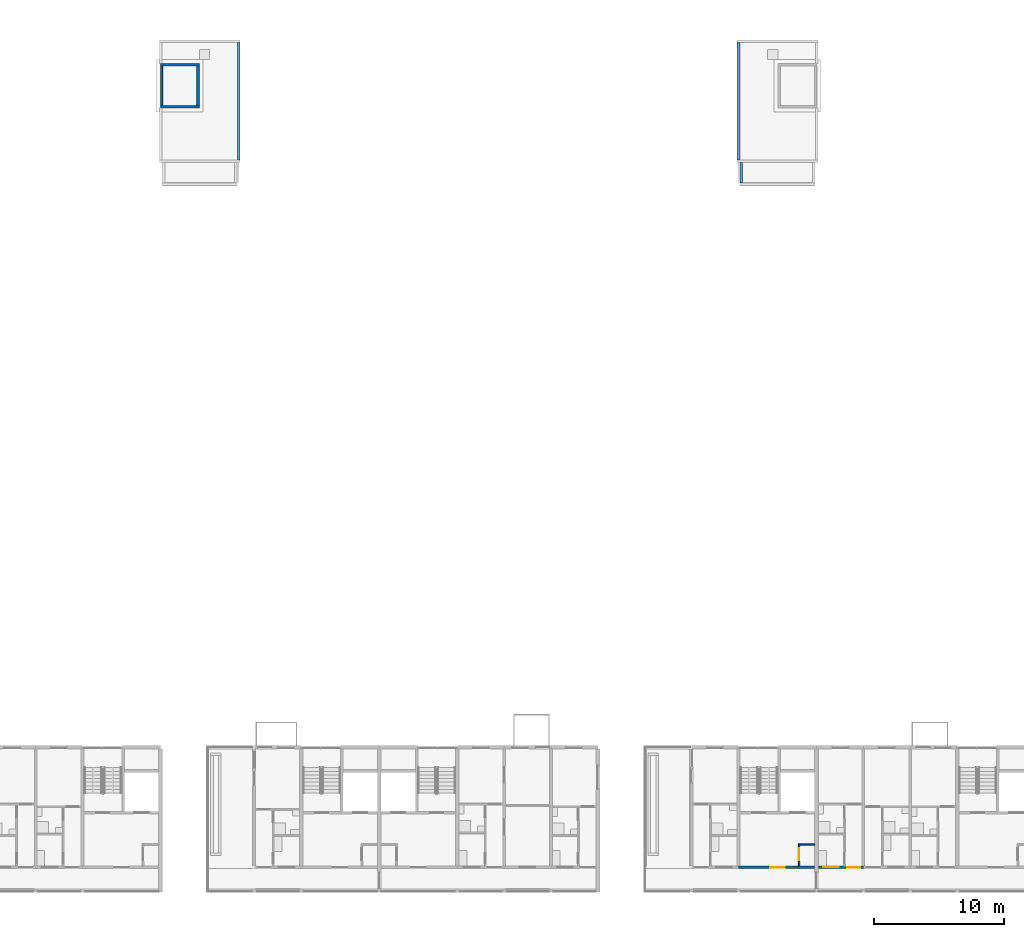
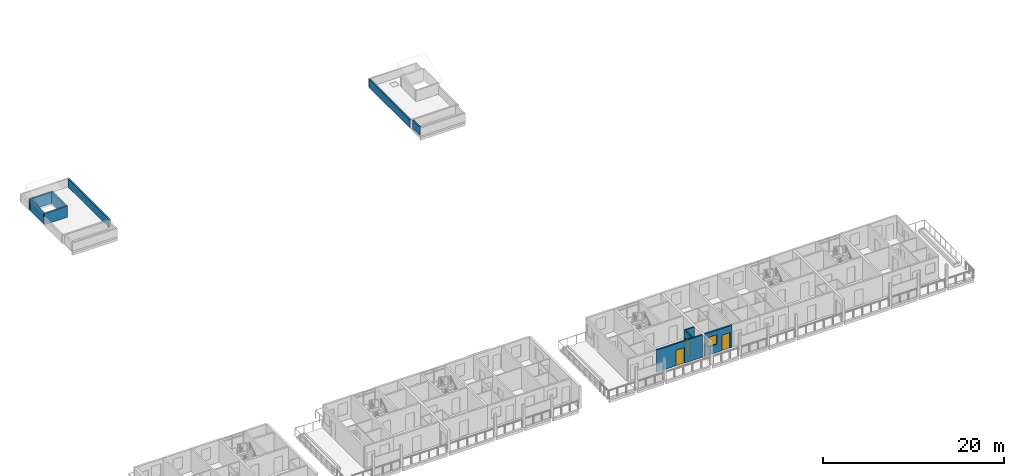
# One storey, part 27 of 64: 11 walls, 3 doors, 1 window, 4 openings.
"""IFC4 building model written with IfcOpenShell, lengths in metres."""

from ifc_helpers import new_model, si_unit, direction, frame, frame_2d, origin, place, context, subcontext, project, spatial, rectangle, extrude, material, layer, layer_set, type_object, element, fill, save


model = new_model("IFC4")

# Units and contexts
model_context = context("Model", 3, precision=1e-05, world=origin(), true_north=direction((0.0, 1.0)))
body_context = subcontext(model_context, "Body", "Model", "MODEL_VIEW")
ifc_project = project(units=[si_unit("LENGTHUNIT", "METRE"), si_unit("AREAUNIT", "SQUARE_METRE"), si_unit("VOLUMEUNIT", "CUBIC_METRE"), si_unit("PLANEANGLEUNIT", "RADIAN"), si_unit("MASSUNIT", "GRAM", prefix="KILO")], contexts=[model_context])

# Site, building, storey
site_placement = place(None, origin())
site = spatial("IfcSite", under=ifc_project, at=site_placement, CompositionType="ELEMENT")
building_placement = place(site_placement, origin())
building = spatial("IfcBuilding", under=site, at=building_placement, Name="Ridgestep Commons", CompositionType="ELEMENT")
storey_placement = place(building_placement, frame((0.0, 0.0, 33.0)))
storey = spatial("IfcBuildingStorey", under=building, at=storey_placement, Name="L11", CompositionType="ELEMENT", Elevation=33.0)

# Wall, opening, door
ifc_material_1 = material(Name="Concrete C30/37", Category="concrete")
ifc_layer_1 = layer(ifc_material_1, 0.199951171875)
ifc_layer_set_1 = layer_set([ifc_layer_1], Name="Core south wall 200")
wall_type_1 = type_object("IfcWallType", Name="Core south wall 200", PredefinedType="SHEAR", material=ifc_layer_set_1)
wall_1_placement = place(storey_placement, frame((73.199951171875, 13.64990234375, 0.0), z_axis=(0.0, 0.0, 1.0), x_axis=(1.0, 0.0, 0.0)))
wall_1 = element("IfcWall", 1, at=wall_1_placement, inside=storey, type_object=wall_type_1, Name="Core south wall A4C L11", PredefinedType="SHEAR", context=body_context, shape_type="SweptSolid", body=[
    extrude(rectangle(XDim=5.85009765625, YDim=0.199951171875, at=frame_2d((2.925048828125, 0.0))), origin(), (0.0, 0.0, 1.0), 3.0),
])
opening_1_placement = place(wall_1_placement, frame((2.4375, 0.0, 0.0)))
opening_1 = element("IfcOpeningElement", 2, at=opening_1_placement, cuts=wall_1, Name="Opening A4C/11/1", PredefinedType="OPENING", context=body_context, shape_type="SweptSolid", body=[
    extrude(rectangle(XDim=1.10009765625, YDim=2.10009765625, at=frame_2d((0.550048828125, 1.050048828125))), frame((0.0, 0.10986328125, 0.0), z_axis=(0.0, -1.0, 0.0), x_axis=(1.0, 0.0, 0.0)), (0.0, 0.0, 1.0), 0.219970703125),
])
ifc_material_2 = material(Name="Steel fire door", Category="steel")
door_type_1 = type_object("IfcDoorType", Name="Lobby door 1100 x 2100 FD60", OperationType="NOTDEFINED", PredefinedType="DOOR", material=ifc_material_2)
door_1_placement = place(opening_1_placement, origin())
door_1 = element("IfcDoor", 3, at=door_1_placement, inside=storey, type_object=door_type_1, Name="Lobby door A4C/11/1", OperationType="SINGLE_SWING_LEFT", OverallHeight=2.10009765625, OverallWidth=1.10009765625, PredefinedType="DOOR", context=body_context, shape_type="SweptSolid", body=[
    extrude(rectangle(XDim=1.10009765625, YDim=2.10009765625, at=frame_2d((0.550048828125, 1.050048828125))), frame((0.0, 0.02490234375, 0.0), z_axis=(0.0, -1.0, 0.0), x_axis=(1.0, 0.0, 0.0)), (0.0, 0.0, 1.0), 0.050048828125),
])
fill(opening_1, door_1)

ifc_material_3 = material(Name="Concrete C30/37", Category="concrete")
ifc_layer_2 = layer(ifc_material_3, 0.1201171875)
ifc_layer_set_2 = layer_set([ifc_layer_2], Name="Core wall 120")
wall_type_2 = type_object("IfcWallType", Name="Core wall 120", PredefinedType="SHEAR", material=ifc_layer_set_2)
wall_2_placement = place(storey_placement, frame((77.860107421875, 13.75, 0.0), z_axis=(0.0, 0.0, 1.0), x_axis=(0.0, 1.0, 0.0)))
wall_2 = element("IfcWall", 4, at=wall_2_placement, inside=storey, type_object=wall_type_2, Name="Core riser w wall A4C L11", PredefinedType="SHEAR", context=body_context, shape_type="SweptSolid", body=[
    extrude(rectangle(XDim=1.719970703125, YDim=0.1201171875, at=frame_2d((0.85986328125, 0.0))), origin(), (0.0, 0.0, 1.0), 3.0),
])
opening_2_placement = place(wall_2_placement, frame((0.449951171875, 0.0, 0.0)))
opening_2 = element("IfcOpeningElement", 5, at=opening_2_placement, cuts=wall_2, Name="Opening A4C/11/4", PredefinedType="OPENING", context=body_context, shape_type="SweptSolid", body=[
    extrude(rectangle(XDim=0.89990234375, YDim=2.10009765625, at=frame_2d((0.449951171875, 1.050048828125))), frame((0.0, 0.070068359375, 0.0), z_axis=(0.0, -1.0, 0.0), x_axis=(1.0, 0.0, 0.0)), (0.0, 0.0, 1.0), 0.14013671875),
])
ifc_material_4 = material(Name="Steel fire door", Category="steel")
door_type_2 = type_object("IfcDoorType", Name="Riser door 900 x 2100 FD60", OperationType="NOTDEFINED", PredefinedType="DOOR", material=ifc_material_4)
door_2_placement = place(opening_2_placement, origin())
door_2 = element("IfcDoor", 6, at=door_2_placement, inside=storey, type_object=door_type_2, Name="Riser door A4C/11/4", OperationType="SINGLE_SWING_LEFT", OverallHeight=2.10009765625, OverallWidth=0.89990234375, PredefinedType="DOOR", context=body_context, shape_type="SweptSolid", body=[
    extrude(rectangle(XDim=0.89990234375, YDim=2.10009765625, at=frame_2d((0.449951171875, 1.050048828125))), frame((0.0, 0.02490234375, 0.0), z_axis=(0.0, -1.0, 0.0), x_axis=(1.0, 0.0, 0.0)), (0.0, 0.0, 1.0), 0.050048828125),
])
fill(opening_2, door_2)

# Walls
wall_3_placement = place(storey_placement, frame((77.919921875, 15.409912109375, 0.0), z_axis=(0.0, 0.0, 1.0), x_axis=(1.0, 0.0, 0.0)))
element("IfcWall", 7, at=wall_3_placement, inside=storey, type_object=wall_type_2, Name="Core riser n wall A4C L11", PredefinedType="SHEAR", context=body_context, shape_type="SweptSolid", body=[
    extrude(rectangle(XDim=1.130126953125, YDim=0.1201171875, at=frame_2d((0.56494140625, 0.0))), origin(), (0.0, 0.0, 1.0), 3.0),
])
ifc_material_5 = material(Name="Concrete C30/37", Category="concrete")
ifc_layer_3 = layer(ifc_material_5, 0.14990234375)
ifc_layer_set_3 = layer_set([ifc_layer_3], Name="Lift overrun wall 150")
wall_type_3 = type_object("IfcWallType", Name="Lift overrun wall 150", PredefinedType="SHEAR", material=ifc_layer_set_3)
wall_4_placement = place(storey_placement, frame((28.875, 72.199951171875, 0.0), z_axis=(0.0, 0.0, 1.0), x_axis=(0.0, 1.0, 0.0)))
element("IfcWall", 8, at=wall_4_placement, inside=storey, type_object=wall_type_3, Name="Lift overrun wall B2C", PredefinedType="SHEAR", context=body_context, shape_type="SweptSolid", body=[
    extrude(rectangle(XDim=3.0, YDim=0.14990234375, at=frame_2d((1.5, 0.0))), origin(), (0.0, 0.0, 1.0), 1.5),
])
ifc_material_6 = material(Name="Concrete C30/37", Category="concrete")
ifc_layer_4 = layer(ifc_material_6, 0.199951171875)
ifc_layer_set_4 = layer_set([ifc_layer_4], Name="Lift overrun wall 200")
wall_type_4 = type_object("IfcWallType", Name="Lift overrun wall 200", PredefinedType="SHEAR", material=ifc_layer_set_4)
for number, where, z_axis, x_axis, name in (
    (9, (28.800048828125, 72.10009765625, 0.0), (0.0, 0.0, 1.0), (1.0, 0.0, 0.0), "Lift overrun wall B2C"),
    (10, (28.800048828125, 75.300048828125, 0.0), (0.0, 0.0, 1.0), (1.0, 0.0, 0.0), "Lift overrun wall B2C"),
):
    element("IfcWall", number, at=place(storey_placement, frame(where, z_axis=z_axis, x_axis=x_axis)), inside=storey, type_object=wall_type_4, Name=name, PredefinedType="SHEAR", context=body_context, shape_type="SweptSolid", body=[
        extrude(rectangle(XDim=2.974853515625, YDim=0.199951171875, at=frame_2d((1.4873046875, 0.0))), origin(), (0.0, 0.0, 1.0), 1.5),
    ])
wall_5_placement = place(storey_placement, frame((31.675048828125, 72.199951171875, 0.0), z_axis=(0.0, 0.0, 1.0), x_axis=(0.0, 1.0, 0.0)))
element("IfcWall", 11, at=wall_5_placement, inside=storey, type_object=wall_type_4, Name="Lift overrun wall B2C", PredefinedType="SHEAR", context=body_context, shape_type="SweptSolid", body=[
    extrude(rectangle(XDim=3.0, YDim=0.199951171875, at=frame_2d((1.5, 0.0))), origin(), (0.0, 0.0, 1.0), 1.5),
])
ifc_material_7 = material(Name="Precast concrete C40/50", Category="concrete")
ifc_layer_5 = layer(ifc_material_7, 0.199951171875)
ifc_layer_set_5 = layer_set([ifc_layer_5], Name="Parapet wall 200")
wall_type_5 = type_object("IfcWallType", Name="Parapet wall 200", PredefinedType="PARAPET", material=ifc_layer_set_5)
for number, where, z_axis, x_axis, name in (
    (12, (34.800048828125, 68.0, 0.0), (0.0, 0.0, 1.0), (0.0, 1.0, 0.0), "Parapet B2C east"),
    (13, (73.199951171875, 68.0, 0.0), (0.0, 0.0, 1.0), (0.0, 1.0, 0.0), "Parapet B4C west"),
):
    element("IfcWall", number, at=place(storey_placement, frame(where, z_axis=z_axis, x_axis=x_axis)), inside=storey, type_object=wall_type_5, Name=name, PredefinedType="PARAPET", context=body_context, shape_type="SweptSolid", body=[
        extrude(rectangle(XDim=9.02490234375, YDim=0.199951171875, at=frame_2d((4.512451171875, 0.0))), origin(), (0.0, 0.0, 1.0), 1.10009765625),
    ])
wall_6_placement = place(storey_placement, frame((73.425048828125, 66.22509765625, 0.0), z_axis=(0.0, 0.0, 1.0), x_axis=(0.0, 1.0, 0.0)))
element("IfcWall", 14, at=wall_6_placement, inside=storey, type_object=wall_type_5, Name="Parapet B4C gallery west", PredefinedType="PARAPET", context=body_context, shape_type="SweptSolid", body=[
    extrude(rectangle(XDim=1.574951171875, YDim=0.199951171875, at=frame_2d((0.78759765625, 0.0))), origin(), (0.0, 0.0, 1.0), 1.10009765625),
])

# Wall, openings, door, window
ifc_material_8 = material(Name="Precast concrete C40/50", Category="concrete")
ifc_layer_6 = layer(ifc_material_8, 0.199951171875)
ifc_layer_set_6 = layer_set([ifc_layer_6], Name="South facade panel 200")
wall_type_6 = type_object("IfcWallType", Name="South facade panel 200", PredefinedType="SOLIDWALL", material=ifc_layer_set_6)
wall_7_placement = place(storey_placement, frame((79.35009765625, 13.64990234375, 0.0), z_axis=(0.0, 0.0, 1.0), x_axis=(1.0, 0.0, 0.0)))
wall_7 = element("IfcWall", 15, at=wall_7_placement, inside=storey, type_object=wall_type_6, Name="South panel A5T1 L11", PredefinedType="SOLIDWALL", context=body_context, shape_type="SweptSolid", body=[
    extrude(rectangle(XDim=3.449951171875, YDim=0.199951171875, at=frame_2d((1.72509765625, 0.0))), origin(), (0.0, 0.0, 1.0), 3.0),
])
opening_3_placement = place(wall_7_placement, frame((0.3701171875, 0.0, 1.10009765625)))
opening_3 = element("IfcOpeningElement", 16, at=opening_3_placement, cuts=wall_7, Name="Opening W08", PredefinedType="OPENING", context=body_context, shape_type="SweptSolid", body=[
    extrude(rectangle(XDim=1.199951171875, YDim=1.300048828125, at=frame_2d((0.60009765625, 0.64990234375))), frame((0.0, 0.10986328125, 0.0), z_axis=(0.0, -1.0, 0.0), x_axis=(1.0, 0.0, 0.0)), (0.0, 0.0, 1.0), 0.219970703125),
])
opening_4_placement = place(wall_7_placement, frame((2.199951171875, 0.0, 0.0)))
opening_4 = element("IfcOpeningElement", 17, at=opening_4_placement, cuts=wall_7, Name="Opening A5-11a/1", PredefinedType="OPENING", context=body_context, shape_type="SweptSolid", body=[
    extrude(rectangle(XDim=1.0, YDim=2.10009765625, at=frame_2d((0.5, 1.050048828125))), frame((0.0, 0.10986328125, 0.0), z_axis=(0.0, -1.0, 0.0), x_axis=(1.0, 0.0, 0.0)), (0.0, 0.0, 1.0), 0.219970703125),
])
ifc_material_9 = material(Name="Timber door leaf", Category="wood")
door_type_3 = type_object("IfcDoorType", Name="Flat entrance door 1000 x 2100 FD30S", OperationType="NOTDEFINED", PredefinedType="DOOR", material=ifc_material_9)
door_3_placement = place(opening_4_placement, origin())
door_3 = element("IfcDoor", 18, at=door_3_placement, inside=storey, type_object=door_type_3, Name="Flat entrance door A5-11a/1", OperationType="SINGLE_SWING_RIGHT", OverallHeight=2.10009765625, OverallWidth=1.0, PredefinedType="DOOR", context=body_context, shape_type="SweptSolid", body=[
    extrude(rectangle(XDim=1.0, YDim=2.10009765625, at=frame_2d((0.5, 1.050048828125))), frame((0.0, 0.02490234375, 0.0), z_axis=(0.0, -1.0, 0.0), x_axis=(1.0, 0.0, 0.0)), (0.0, 0.0, 1.0), 0.050048828125),
])
fill(opening_4, door_3)
ifc_material_10 = material(Name="Aluminium 6063-T6 and glass", Category="aluminium")
window_type = type_object("IfcWindowType", Name="Flat window 1200 x 1300", PartitioningType="SINGLE_PANEL", PredefinedType="WINDOW", material=ifc_material_10)
window_placement = place(opening_3_placement, origin())
window = element("IfcWindow", 19, at=window_placement, inside=storey, type_object=window_type, Name="Window A5-11a 1", OverallHeight=1.300048828125, OverallWidth=1.199951171875, PartitioningType="SINGLE_PANEL", PredefinedType="WINDOW", context=body_context, shape_type="SweptSolid", body=[
    extrude(rectangle(XDim=1.199951171875, YDim=1.300048828125, at=frame_2d((0.60009765625, 0.64990234375))), frame((0.0, 0.06005859375, 0.0), z_axis=(0.0, -1.0, 0.0), x_axis=(1.0, 0.0, 0.0)), (0.0, 0.0, 1.0), 0.06005859375),
])
fill(opening_3, window)

save(model, "model.ifc")
